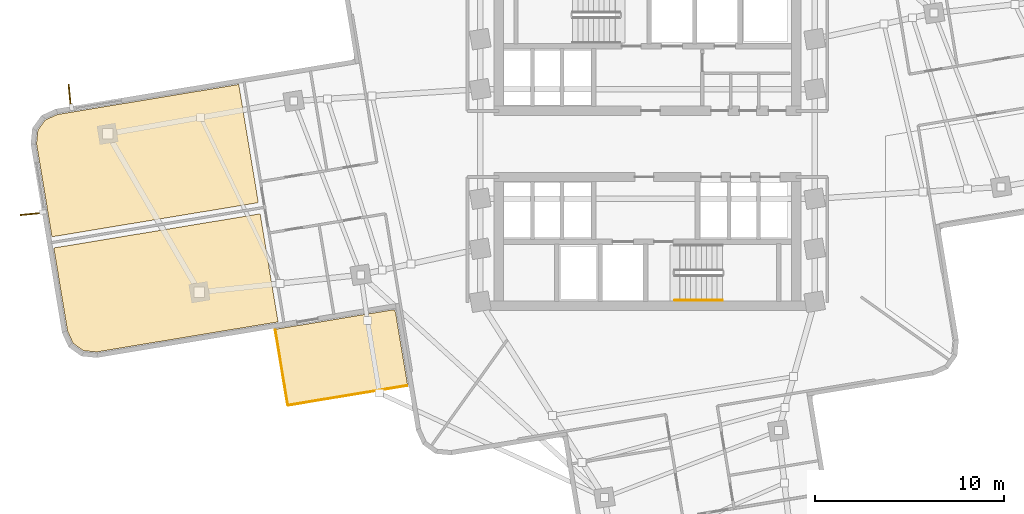
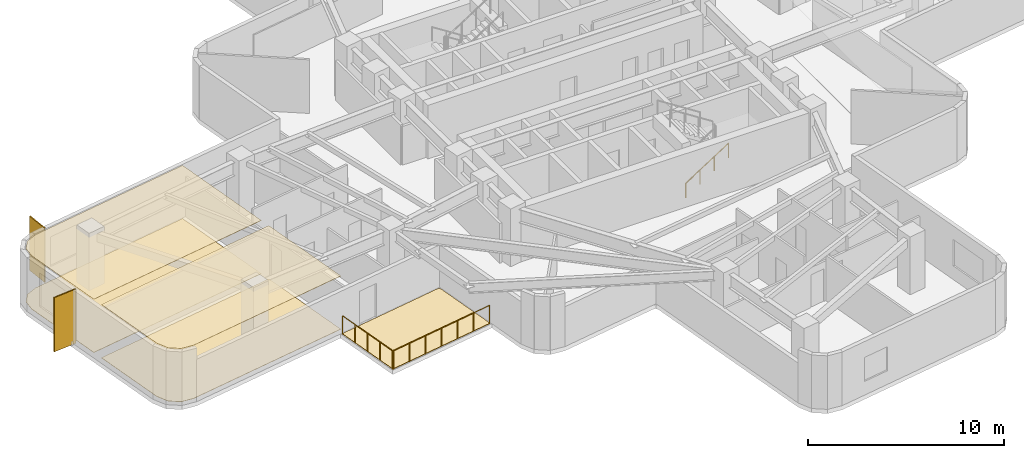
# One storey, part 7 of 9: 5 coverings, 3 railings, 2 shading devices.
"""IFC4 building model written with IfcOpenShell, lengths in metres."""

from ifc_helpers import new_model, si_unit, direction, frame, origin, origin_2d, place, context, subcontext, project, spatial, polyline, rectangle, circle, outline, extrude, material, layer, layer_set, type_object, element, save


model = new_model("IFC4")

# Units and contexts
model_context = context("Model", 3, precision=1e-05, world=origin(), true_north=direction((0.0, 1.0)))
body_context = subcontext(model_context, "Body", "Model", "MODEL_VIEW")
ifc_project = project(units=[si_unit("LENGTHUNIT", "METRE"), si_unit("AREAUNIT", "SQUARE_METRE"), si_unit("VOLUMEUNIT", "CUBIC_METRE"), si_unit("PLANEANGLEUNIT", "RADIAN"), si_unit("MASSUNIT", "GRAM", prefix="KILO")], contexts=[model_context])

# Site, building, storey
site_placement = place(None, origin())
site = spatial("IfcSite", under=ifc_project, at=site_placement, CompositionType="ELEMENT")
building_placement = place(site_placement, origin())
building = spatial("IfcBuilding", under=site, at=building_placement, Name="Solmarez Civic Tower", CompositionType="ELEMENT")
storey_placement = place(building_placement, frame((0.0, 0.0, 92.8798828125)))
storey = spatial("IfcBuildingStorey", under=building, at=storey_placement, Name="L24", CompositionType="ELEMENT", Elevation=92.8798828125)

# Coverings
ifc_material_1 = material(Name="Perforated Mineral-Fibre Acoustic Ceiling")
ifc_layer_1 = layer(ifc_material_1, 0.02490234375)
ifc_layer_set_1 = layer_set([ifc_layer_1], Name="Perforated Mineral-Fibre Acoustic Ceiling")
covering_type_1 = type_object("IfcCoveringType", Name="COV-CEIL-ACOUSTIC", PredefinedType="CEILING", material=ifc_layer_set_1)
covering_1_placement = place(storey_placement, frame((0.0, 0.0, 3.315185546875)))
element("IfcCovering", 1, at=covering_1_placement, inside=storey, type_object=covering_type_1, Name="L24 Suspended Acoustic Ceiling 2", PredefinedType="CEILING", context=body_context, shape_type="SweptSolid", body=[
    extrude(outline(polyline([(-21.635009765625, 3.14892578125), (-31.23388671875, 1.56005859375), (-31.87890625, 1.26708984375), (-32.26806640625, 0.72412109375), (-32.3369140625, 0.01904296875), (-31.52099609375, -4.9140625), (-20.59912109375, -3.10595703125), (-21.635009765625, 3.14892578125)])), origin(), (0.0, 0.0, 1.0), 0.02490234375),
])
covering_2_placement = place(storey_placement, frame((0.0, 0.0, 3.315185546875)))
element("IfcCovering", 2, at=covering_2_placement, inside=storey, type_object=covering_type_1, Name="L24 Suspended Acoustic Ceiling 3", PredefinedType="CEILING", context=body_context, shape_type="SweptSolid", body=[
    extrude(outline(polyline([(-31.423095703125, -5.506103515625), (-30.694091796875, -9.906982421875), (-30.402099609375, -10.551025390625), (-29.85888671875, -10.93994140625), (-29.153076171875, -11.009033203125), (-19.553955078125, -9.419921875), (-20.5009765625, -3.697998046875), (-31.423095703125, -5.506103515625)])), origin(), (0.0, 0.0, 1.0), 0.02490234375),
])
ifc_material_2 = material(Name="Polished Tropical Stone Terrazzo Flooring", Category="masonry")
ifc_layer_2 = layer(ifc_material_2, 0.02001953125)
ifc_layer_set_2 = layer_set([ifc_layer_2], Name="Polished Tropical Stone Terrazzo Flooring")
covering_type_2 = type_object("IfcCoveringType", Name="COV-FLOOR-TERRAZZO", PredefinedType="FLOORING", material=ifc_layer_set_2)
covering_3_placement = place(storey_placement, origin())
element("IfcCovering", 3, at=covering_3_placement, inside=storey, type_object=covering_type_2, Name="L24 Terrazzo Floor Finish 2", PredefinedType="FLOORING", context=body_context, shape_type="SweptSolid", body=[
    extrude(outline(polyline([(-21.635009765625, 3.14892578125), (-31.23388671875, 1.56005859375), (-31.87890625, 1.26708984375), (-32.26806640625, 0.72412109375), (-32.3369140625, 0.01904296875), (-31.52099609375, -4.9140625), (-20.59912109375, -3.10595703125), (-21.635009765625, 3.14892578125)])), origin(), (0.0, 0.0, 1.0), 0.02001953125),
])
covering_4_placement = place(storey_placement, origin())
element("IfcCovering", 4, at=covering_4_placement, inside=storey, type_object=covering_type_2, Name="L24 Terrazzo Floor Finish 3", PredefinedType="FLOORING", context=body_context, shape_type="SweptSolid", body=[
    extrude(outline(polyline([(-31.423095703125, -5.506103515625), (-30.694091796875, -9.906982421875), (-30.402099609375, -10.551025390625), (-29.85888671875, -10.93994140625), (-29.153076171875, -11.009033203125), (-19.553955078125, -9.419921875), (-20.5009765625, -3.697998046875), (-31.423095703125, -5.506103515625)])), origin(), (0.0, 0.0, 1.0), 0.02001953125),
])
ifc_material_3 = material(Name="Elastomeric Terrace Waterproofing Membrane")
ifc_layer_3 = layer(ifc_material_3, 0.030029296875)
ifc_layer_set_3 = layer_set([ifc_layer_3], Name="Elastomeric Terrace Waterproofing Membrane")
covering_type_3 = type_object("IfcCoveringType", Name="COV-MEMBRANE-ROOF", PredefinedType="ROOFING", material=ifc_layer_set_3)
covering_5_placement = place(storey_placement, origin())
element("IfcCovering", 5, at=covering_5_placement, inside=storey, type_object=covering_type_3, Name="L24 Balcony Waterproofing SW", PredefinedType="ROOFING", context=body_context, shape_type="SweptSolid", body=[
    extrude(outline(polyline([(-13.3349609375, -8.9169921875), (-13.386962890625, -8.800048828125), (-13.514892578125, -8.787109375), (-19.701904296875, -9.81103515625), (-19.035888671875, -13.8349609375), (-12.694091796875, -12.784912109375), (-13.3349609375, -8.9169921875)])), origin(), (0.0, 0.0, 1.0), 0.030029296875),
])

# Shading devices
ifc_material_4 = material(Name="Bronze Anodised Aluminium EN AW-6063 T6", Category="aluminium")
ifc_layer_4 = layer(ifc_material_4, 0.06494140625)
ifc_layer_set_4 = layer_set([ifc_layer_4], Name="Bronze Anodised Aluminium EN AW-6063 T6")
shading_device_type = type_object("IfcShadingDeviceType", Name="FIN-BRONZE-Z12", PredefinedType="USERDEFINED", material=ifc_layer_set_4)
for number, where, z_axis, x_axis, name in (
    (6, (-32.5380859375, -3.698974609375, -0.039794921875), (0.0, 0.0, 1.0), (-0.995451236454, -0.095272429601, 0.0), "L24 Anodised Bronze Solar Fin FIN-L24-01"),
    (7, (-30.574951171875, 2.48388671875, -0.039794921875), (0.0, 0.0, 1.0), (-0.095237681739, 0.995454561483, 0.0), "L24 Anodised Bronze Solar Fin FIN-L24-02"),
):
    element("IfcShadingDevice", number, at=place(storey_placement, frame(where, z_axis=z_axis, x_axis=x_axis)), inside=storey, type_object=shading_device_type, Name=name, ObjectType="FIN", PredefinedType="USERDEFINED", context=body_context, shape_type="SweptSolid", body=[
        extrude(rectangle(XDim=1.35009765625, YDim=0.06494140625, at=origin_2d()), origin(), (0.0, 0.0, 1.0), 3.3798828125),
    ])

# Railings
ifc_material_5 = material(Name="Bronze Anodised Aluminium and Laminated Safety Glass Balustrade", Category="aluminium")
railing_type_1 = type_object("IfcRailingType", Name="GUARD-TERR-1180", PredefinedType="BALUSTRADE", material=ifc_material_5)
railing_1_placement = place(storey_placement, frame((-19.696044921875, -9.845947265625, 0.0)))
element("IfcRailing", 8, at=railing_1_placement, inside=storey, type_object=railing_type_1, Name="L24 Safety Balustrade GRD-BALC-L24-SW-1", PredefinedType="BALUSTRADE", context=body_context, shape_type="SweptSolid", body=[
    extrude(circle(Radius=0.02392578125, at=origin_2d()), frame((0.0, 0.0, 1.15576171875), z_axis=(0.163193717452, -0.986594045484, 0.0), x_axis=(0.986594045484, 0.163193717452, 0.0)), (0.0, 0.0, 1.0), 4.0078125),
    extrude(circle(Radius=0.02099609375, at=origin_2d()), origin(), (0.0, 0.0, 1.0), 1.1318359375),
    extrude(circle(Radius=0.02099609375, at=origin_2d()), frame((0.16357421875, -0.988525390625, 0.0)), (0.0, 0.0, 1.0), 1.1318359375),
    extrude(circle(Radius=0.02099609375, at=origin_2d()), frame((0.3271484375, -1.97705078125, 0.0)), (0.0, 0.0, 1.0), 1.1318359375),
    extrude(circle(Radius=0.02099609375, at=origin_2d()), frame((0.490478515625, -2.965576171875, 0.0)), (0.0, 0.0, 1.0), 1.1318359375),
    extrude(circle(Radius=0.02099609375, at=origin_2d()), frame((0.654052734375, -3.9541015625, 0.0)), (0.0, 0.0, 1.0), 1.1318359375),
])
railing_2_placement = place(storey_placement, frame((-19.0009765625, -13.8291015625, 0.0)))
element("IfcRailing", 9, at=railing_2_placement, inside=storey, type_object=railing_type_1, Name="L24 Safety Balustrade GRD-BALC-L24-SW-2", PredefinedType="BALUSTRADE", context=body_context, shape_type="SweptSolid", body=[
    extrude(circle(Radius=0.02392578125, at=origin_2d()), frame((0.0, 0.0, 1.15576171875), z_axis=(0.986578051468, 0.163290380492, 0.0), x_axis=(-0.163290380492, 0.986578051468, 0.0)), (0.0, 0.0, 1.0), 6.357421875),
    extrude(circle(Radius=0.02099609375, at=origin_2d()), origin(), (0.0, 0.0, 1.0), 1.1318359375),
    extrude(circle(Radius=0.02099609375, at=origin_2d()), frame((1.04541015625, 0.173095703125, 0.0)), (0.0, 0.0, 1.0), 1.1318359375),
    extrude(circle(Radius=0.02099609375, at=origin_2d()), frame((2.090576171875, 0.345947265625, 0.0)), (0.0, 0.0, 1.0), 1.1318359375),
    extrude(circle(Radius=0.02099609375, at=origin_2d()), frame((3.135986328125, 0.51904296875, 0.0)), (0.0, 0.0, 1.0), 1.1318359375),
    extrude(circle(Radius=0.02099609375, at=origin_2d()), frame((4.181396484375, 0.692138671875, 0.0)), (0.0, 0.0, 1.0), 1.1318359375),
    extrude(circle(Radius=0.02099609375, at=origin_2d()), frame((5.2265625, 0.864990234375, 0.0)), (0.0, 0.0, 1.0), 1.1318359375),
    extrude(circle(Radius=0.02099609375, at=origin_2d()), frame((6.27197265625, 1.0380859375, 0.0)), (0.0, 0.0, 1.0), 1.1318359375),
])
ifc_material_6 = material(Name="Brushed Stainless Steel Tube Handrail", Category="steel")
railing_type_2 = type_object("IfcRailingType", Name="HANDRAIL-STAIR-900", PredefinedType="HANDRAIL", material=ifc_material_6)
railing_3_placement = place(storey_placement, frame((1.449951171875, -8.27001953125, 0.18017578125)))
element("IfcRailing", 10, at=railing_3_placement, inside=storey, type_object=railing_type_2, Name="L24 ST-2 stair handrail 1", PredefinedType="HANDRAIL", context=body_context, shape_type="SweptSolid", body=[
    extrude(circle(Radius=0.02392578125, at=origin_2d()), frame((0.0, 0.0, 0.8759765625), z_axis=(0.841199657755, 0.0, 0.540724639528), x_axis=(0.0, 1.0, 0.0)), (0.0, 0.0, 1.0), 2.995849609375),
    extrude(circle(Radius=0.02099609375, at=origin_2d()), origin(), (0.0, 0.0, 1.0), 0.851806640625),
    extrude(circle(Radius=0.02099609375, at=origin_2d()), frame((0.840087890625, 0.0, 0.5400390625)), (0.0, 0.0, 1.0), 0.851806640625),
    extrude(circle(Radius=0.02099609375, at=origin_2d()), frame((1.679931640625, 0.0, 1.079833984375)), (0.0, 0.0, 1.0), 0.851806640625),
    extrude(circle(Radius=0.02099609375, at=origin_2d()), frame((2.52001953125, 0.0, 1.619873046875)), (0.0, 0.0, 1.0), 0.851806640625),
])

save(model, "model.ifc")
